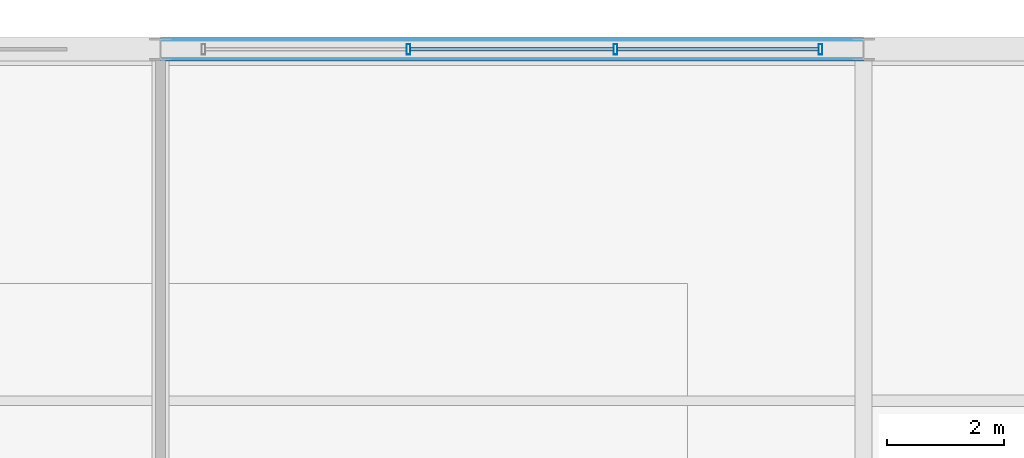
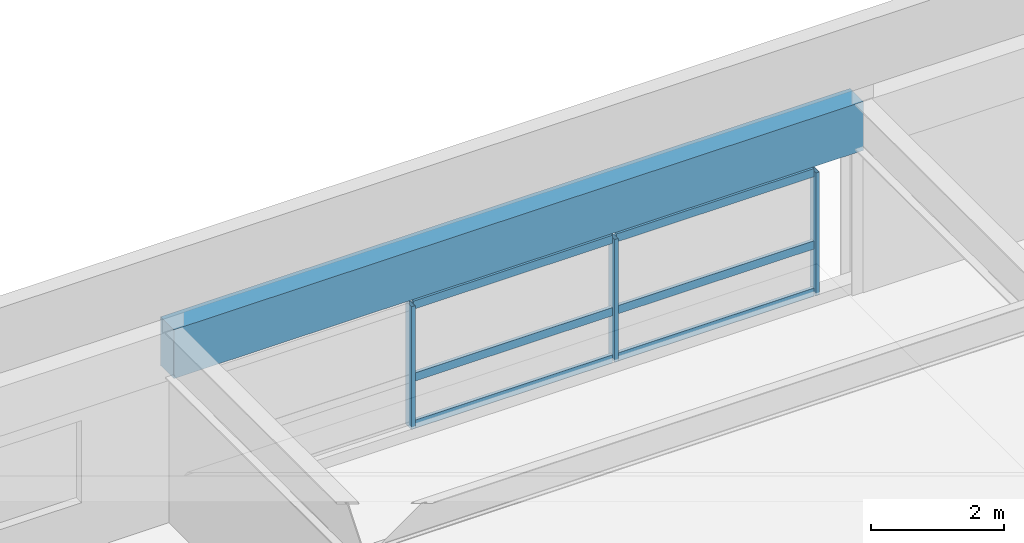
# One storey, part 78 of 108: 9 members, 1 beam, 1 element without a shape of its own.
"""IFC4 building model written with IfcOpenShell, lengths in metres."""

from ifc_helpers import new_model, si_unit, direction, frame, origin, origin_2d, place, context, subcontext, project, spatial, rectangle, hollow_rectangle, extrude, material, material_profile, profile_set, type_object, element, aggregate, save


model = new_model("IFC4")

# Units and contexts
model_context = context("Model", 3, precision=1e-05, world=origin(), true_north=direction((0.0, 1.0)))
body_context = subcontext(model_context, "Body", "Model", "MODEL_VIEW")
ifc_project = project(units=[si_unit("LENGTHUNIT", "METRE"), si_unit("AREAUNIT", "SQUARE_METRE"), si_unit("VOLUMEUNIT", "CUBIC_METRE"), si_unit("PLANEANGLEUNIT", "RADIAN"), si_unit("MASSUNIT", "GRAM", prefix="KILO")], contexts=[model_context])

# Site, building, storey
site_placement = place(None, origin())
site = spatial("IfcSite", under=ifc_project, at=site_placement, CompositionType="ELEMENT")
building_placement = place(site_placement, origin())
building = spatial("IfcBuilding", under=site, at=building_placement, Name="Kaldorvane Square Convention Centre", CompositionType="ELEMENT")
storey_placement = place(building_placement, frame((0.0, 0.0, 23.399993896484375)))
storey = spatial("IfcBuildingStorey", under=building, at=storey_placement, Name="L04", CompositionType="ELEMENT", Elevation=23.399993896484375)

# Beam
ifc_material_1 = material(Name="Concrete f'c = 42 MPa (Normalweight)", Category="concrete")
ifc_material_profile_1 = material_profile(ifc_material_1, rectangle(XDim=0.399993896484375, YDim=0.899993896484375, at=origin_2d()), Name="RCSP900X400")
ifc_profile_set_1 = profile_set([ifc_material_profile_1], Name="Concrete f'c = 42 MPa (Normalweight)")
beam_type = type_object("IfcBeamType", Name="BM-SP-RC900", PredefinedType="SPANDREL", material=ifc_profile_set_1)
beam_placement = place(storey_placement, frame((126.0, 117.0, 3.0760040283203125), z_axis=(1.0, 0.0, 0.0), x_axis=(0.0, 1.0, 0.0)))
element("IfcBeam", 1, at=beam_placement, inside=storey, type_object=beam_type, Name="Perimeter Spandrel (L04)", PredefinedType="SPANDREL", context=body_context, shape_type="SweptSolid", body=[
    extrude(rectangle(XDim=0.399993896484375, YDim=0.899993896484375, at=origin_2d()), origin(), (0.0, 0.0, 1.0), 12.0),
])

# Curtain wall, members
ifc_material_2 = material(Name="Anodized Aluminum and Low-E Insulated Glazing", Category="aluminium")
curtain_wall_type = type_object("IfcCurtainWallType", Name="CW-UNI-P42-09", PredefinedType="USERDEFINED", material=ifc_material_2)
curtain_wall_placement = place(storey_placement, origin())
curtain_wall = element("IfcCurtainWall", 2, at=curtain_wall_placement, inside=storey, type_object=curtain_wall_type, Name="Curtain Wall CW-06 (L04)", ObjectType="UNITISED GLAZING", PredefinedType="USERDEFINED")
ifc_material_profile_2 = material_profile(ifc_material_2, hollow_rectangle(XDim=0.06500244140625, YDim=0.17999267578125, WallThickness=0.0034942626953125, at=origin_2d()), Name="CWM-180X65")
ifc_profile_set_2 = profile_set([ifc_material_profile_2], Name="Anodized Aluminum and Low-E Insulated Glazing")
member_type_1 = type_object("IfcMemberType", Name="CW-MUL-180", PredefinedType="MULLION", material=ifc_profile_set_2)
member_1_placement = place(storey_placement, frame((137.2675018310547, 117.0, 0.1500091552734375), z_axis=(0.0, 0.0, 1.0), x_axis=(-1.0, 0.0, 0.0)))
member_1 = element("IfcMember", 3, at=member_1_placement, type_object=member_type_1, Name="CW-06 mullion 1", PredefinedType="MULLION", context=body_context, shape_type="SweptSolid", body=[
    extrude(hollow_rectangle(XDim=0.06500244140625, YDim=0.17999267578125, WallThickness=0.0034942626953125, at=origin_2d()), origin(), (0.0, 0.0, 1.0), 2.2599945068359375),
])
member_2_placement = place(storey_placement, frame((133.76666259765625, 117.0, 0.1500091552734375), z_axis=(0.0, 0.0, 1.0), x_axis=(-1.0, 0.0, 0.0)))
member_2 = element("IfcMember", 4, at=member_2_placement, type_object=member_type_1, Name="CW-06 mullion 2", PredefinedType="MULLION", context=body_context, shape_type="SweptSolid", body=[
    extrude(hollow_rectangle(XDim=0.06500244140625, YDim=0.17999267578125, WallThickness=0.0034942626953125, at=origin_2d()), origin(), (0.0, 0.0, 1.0), 2.2599945068359375),
])
member_3_placement = place(storey_placement, frame((130.23333740234375, 117.0, 0.1500091552734375), z_axis=(0.0, 0.0, 1.0), x_axis=(-1.0, 0.0, 0.0)))
member_3 = element("IfcMember", 5, at=member_3_placement, type_object=member_type_1, Name="CW-06 mullion 3", PredefinedType="MULLION", context=body_context, shape_type="SweptSolid", body=[
    extrude(hollow_rectangle(XDim=0.06500244140625, YDim=0.17999267578125, WallThickness=0.0034942626953125, at=origin_2d()), origin(), (0.0, 0.0, 1.0), 2.2599945068359375),
])
ifc_material_profile_3 = material_profile(ifc_material_2, hollow_rectangle(XDim=0.05999755859375, YDim=0.149993896484375, WallThickness=0.003204345703125, at=origin_2d()), Name="CWT-150X60")
ifc_profile_set_3 = profile_set([ifc_material_profile_3], Name="Anodized Aluminum and Low-E Insulated Glazing")
member_type_2 = type_object("IfcMemberType", Name="CW-TRN-150", PredefinedType="USERDEFINED", material=ifc_profile_set_3)
member_4_placement = place(storey_placement, frame((137.23500061035156, 117.0, 0.1800079345703125), z_axis=(-1.0, 0.0, 0.0), x_axis=(0.0, -1.0, 0.0)))
member_4 = element("IfcMember", 6, at=member_4_placement, type_object=member_type_2, Name="CW-06 transom 1.1", ObjectType="TRANSOM", PredefinedType="USERDEFINED", context=body_context, shape_type="SweptSolid", body=[
    extrude(hollow_rectangle(XDim=0.05999755859375, YDim=0.149993896484375, WallThickness=0.003204345703125, at=origin_2d()), origin(), (0.0, 0.0, 1.0), 3.4358367919921875),
])
member_5_placement = place(storey_placement, frame((137.23500061035156, 117.0, 1.0500030517578125), z_axis=(-1.0, 0.0, 0.0), x_axis=(0.0, -1.0, 0.0)))
member_5 = element("IfcMember", 7, at=member_5_placement, type_object=member_type_2, Name="CW-06 transom 1.2", ObjectType="TRANSOM", PredefinedType="USERDEFINED", context=body_context, shape_type="SweptSolid", body=[
    extrude(hollow_rectangle(XDim=0.05999755859375, YDim=0.149993896484375, WallThickness=0.003204345703125, at=origin_2d()), origin(), (0.0, 0.0, 1.0), 3.4358367919921875),
])
member_6_placement = place(storey_placement, frame((137.23500061035156, 117.0, 2.3800048828125), z_axis=(-1.0, 0.0, 0.0), x_axis=(0.0, -1.0, 0.0)))
member_6 = element("IfcMember", 8, at=member_6_placement, type_object=member_type_2, Name="CW-06 transom 1.3", ObjectType="TRANSOM", PredefinedType="USERDEFINED", context=body_context, shape_type="SweptSolid", body=[
    extrude(hollow_rectangle(XDim=0.05999755859375, YDim=0.149993896484375, WallThickness=0.003204345703125, at=origin_2d()), origin(), (0.0, 0.0, 1.0), 3.4358367919921875),
])
member_7_placement = place(storey_placement, frame((133.73416137695312, 117.0, 0.1800079345703125), z_axis=(-1.0, 0.0, 0.0), x_axis=(0.0, -1.0, 0.0)))
member_7 = element("IfcMember", 9, at=member_7_placement, type_object=member_type_2, Name="CW-06 transom 2.1", ObjectType="TRANSOM", PredefinedType="USERDEFINED", context=body_context, shape_type="SweptSolid", body=[
    extrude(hollow_rectangle(XDim=0.05999755859375, YDim=0.149993896484375, WallThickness=0.003204345703125, at=origin_2d()), origin(), (0.0, 0.0, 1.0), 3.46832275390625),
])
member_8_placement = place(storey_placement, frame((133.73416137695312, 117.0, 1.0500030517578125), z_axis=(-1.0, 0.0, 0.0), x_axis=(0.0, -1.0, 0.0)))
member_8 = element("IfcMember", 10, at=member_8_placement, type_object=member_type_2, Name="CW-06 transom 2.2", ObjectType="TRANSOM", PredefinedType="USERDEFINED", context=body_context, shape_type="SweptSolid", body=[
    extrude(hollow_rectangle(XDim=0.05999755859375, YDim=0.149993896484375, WallThickness=0.003204345703125, at=origin_2d()), origin(), (0.0, 0.0, 1.0), 3.46832275390625),
])
member_9_placement = place(storey_placement, frame((133.73416137695312, 117.0, 2.3800048828125), z_axis=(-1.0, 0.0, 0.0), x_axis=(0.0, -1.0, 0.0)))
member_9 = element("IfcMember", 11, at=member_9_placement, type_object=member_type_2, Name="CW-06 transom 2.3", ObjectType="TRANSOM", PredefinedType="USERDEFINED", context=body_context, shape_type="SweptSolid", body=[
    extrude(hollow_rectangle(XDim=0.05999755859375, YDim=0.149993896484375, WallThickness=0.003204345703125, at=origin_2d()), origin(), (0.0, 0.0, 1.0), 3.46832275390625),
])
aggregate(curtain_wall, [member_1, member_2, member_3, member_4, member_5, member_6, member_7, member_8, member_9])

save(model, "model.ifc")
